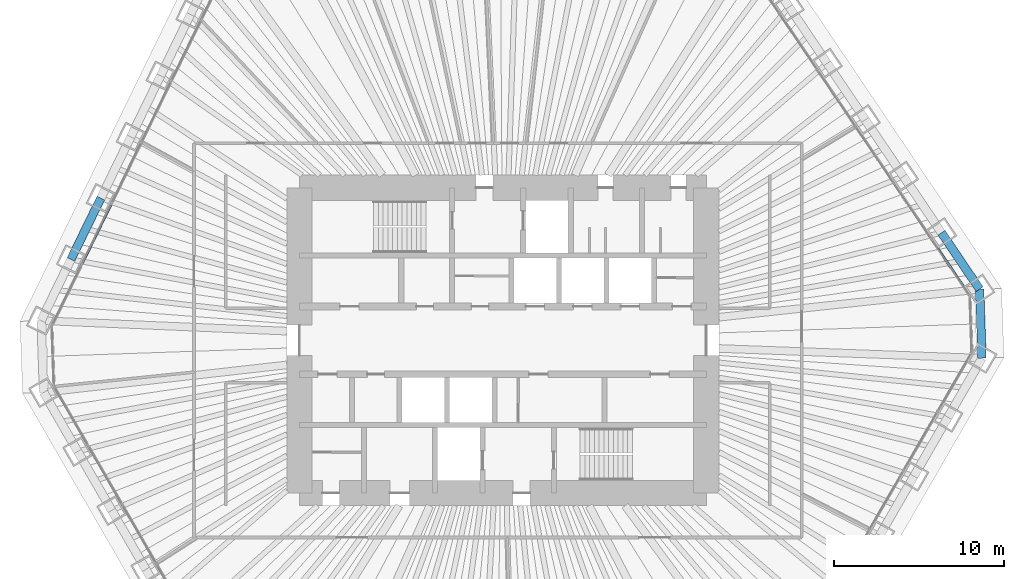
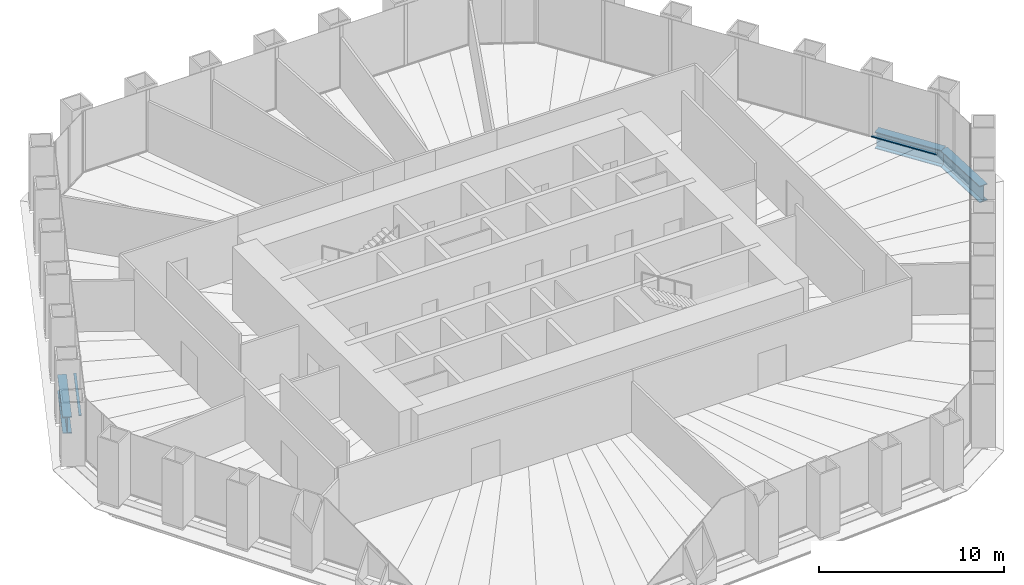
# One storey, part 5 of 13: 3 beams, 2 members, 2 elements without a shape of their own.
"""IFC4 building model written with IfcOpenShell, lengths in metres."""

from ifc_helpers import new_model, si_unit, direction, frame, origin, origin_2d, place, context, subcontext, project, spatial, rectangle, i_section, extrude, material, material_profile, profile_set, type_object, element, aggregate, save


model = new_model("IFC4")

# Units and contexts
model_context = context("Model", 3, precision=1e-05, world=origin(), true_north=direction((0.0, 1.0)))
body_context = subcontext(model_context, "Body", "Model", "MODEL_VIEW")
ifc_project = project(units=[si_unit("LENGTHUNIT", "METRE"), si_unit("AREAUNIT", "SQUARE_METRE"), si_unit("VOLUMEUNIT", "CUBIC_METRE"), si_unit("PLANEANGLEUNIT", "RADIAN"), si_unit("MASSUNIT", "GRAM", prefix="KILO")], contexts=[model_context])

# Site, building, storey
site_placement = place(None, origin())
site = spatial("IfcSite", under=ifc_project, at=site_placement, CompositionType="ELEMENT")
building_placement = place(site_placement, origin())
building = spatial("IfcBuilding", under=site, at=building_placement, Name="Qingtian Harvest Tower", CompositionType="ELEMENT")
storey_placement = place(building_placement, frame((0.0, 0.0, 140.800048828125)))
storey = spatial("IfcBuildingStorey", under=building, at=storey_placement, Name="L29", CompositionType="ELEMENT", Elevation=140.800048828125)

# Beams
ifc_material_1 = material(Name="Steel SM570MC", Category="steel")
ifc_material_profile_1 = material_profile(ifc_material_1, i_section(OverallWidth=0.5, OverallDepth=1.10009765625, WebThickness=0.02490234375, FlangeThickness=0.050048828125, at=origin_2d()), Name="H1100x500x25x50")
ifc_profile_set_1 = profile_set([ifc_material_profile_1], Name="Steel SM570MC")
beam_type = type_object("IfcBeamType", Name="Spandrel beam SB2 H1100x500x25x50", PredefinedType="SPANDREL", material=ifc_profile_set_1)
beam_1_placement = place(storey_placement, frame((25.8720703125, 6.3505859375, -0.550048828125), z_axis=(0.55916400171, -0.829057066306, 0.0), x_axis=(0.829057066306, 0.55916400171, 0.0)))
element("IfcBeam", 1, at=beam_1_placement, inside=storey, type_object=beam_type, Name="Spandrel SB2 NE5", PredefinedType="SPANDREL", context=body_context, shape_type="SweptSolid", body=[
    extrude(i_section(OverallWidth=0.5, OverallDepth=1.10009765625, WebThickness=0.02490234375, FlangeThickness=0.050048828125, at=origin_2d()), origin(), (0.0, 0.0, 1.0), 4.01904296875),
])
beam_2_placement = place(storey_placement, frame((28.119384765625, 3.0185546875, -0.550048828125), z_axis=(0.03490639867, -0.999390585973, 0.0), x_axis=(0.999390585973, 0.03490639867, 0.0)))
element("IfcBeam", 2, at=beam_2_placement, inside=storey, type_object=beam_type, Name="Spandrel SB2 NEC", PredefinedType="SPANDREL", context=body_context, shape_type="SweptSolid", body=[
    extrude(i_section(OverallWidth=0.5, OverallDepth=1.10009765625, WebThickness=0.02490234375, FlangeThickness=0.050048828125, at=origin_2d()), origin(), (0.0, 0.0, 1.0), 4.070556640625),
])
beam_3_placement = place(storey_placement, frame((-25.483154296875, 4.78125, -0.550048828125), z_axis=(0.438396105405, 0.89878187274, 0.0), x_axis=(-0.89878187274, 0.438396105405, 0.0)))
element("IfcBeam", 3, at=beam_3_placement, inside=storey, type_object=beam_type, Name="Spandrel SB2 NW1", PredefinedType="SPANDREL", context=body_context, shape_type="SweptSolid", body=[
    extrude(i_section(OverallWidth=0.5, OverallDepth=1.10009765625, WebThickness=0.02490234375, FlangeThickness=0.050048828125, at=origin_2d()), origin(), (0.0, 0.0, 1.0), 4.01904296875),
])

# Curtain wall, member
ifc_material_2 = material(Name="Bronze-anodised aluminium curtain wall", Category="aluminium")
curtain_wall_type = type_object("IfcCurtainWallType", Name="Curtain wall CW4 office", PredefinedType="USERDEFINED", material=ifc_material_2)
curtain_wall_1_placement = place(storey_placement, origin())
curtain_wall_1 = element("IfcCurtainWall", 4, at=curtain_wall_1_placement, inside=storey, type_object=curtain_wall_type, Name="Curtain wall CW4 L29 NE0-5", ObjectType="RECESSED CURTAIN WALL", PredefinedType="USERDEFINED")
ifc_material_3 = material(Name="Bronze-anodised aluminium transom", Category="aluminium")
ifc_material_profile_2 = material_profile(ifc_material_3, rectangle(XDim=0.14990234375, YDim=0.06494140625, at=origin_2d()), Name="AL 65x150")
ifc_profile_set_2 = profile_set([ifc_material_profile_2], Name="Bronze-anodised aluminium transom")
member_type = type_object("IfcMemberType", Name="Transom CWT 65x150", PredefinedType="USERDEFINED", material=ifc_profile_set_2)
member_1_placement = place(storey_placement, frame((25.309814453125, 5.93212890625, 0.032470703125), z_axis=(0.559174507936, -0.829049980203, 0.0), x_axis=(0.829049980203, 0.559174507936, 0.0)))
member_1 = element("IfcMember", 5, at=member_1_placement, type_object=member_type, Name="CW4 transom 6.1", ObjectType="TRANSOM", PredefinedType="USERDEFINED", context=body_context, shape_type="SweptSolid", body=[
    extrude(rectangle(XDim=0.14990234375, YDim=0.06494140625, at=origin_2d()), origin(), (0.0, 0.0, 1.0), 3.921630859375),
])
aggregate(curtain_wall_1, [member_1])

curtain_wall_2_placement = place(storey_placement, origin())
curtain_wall_2 = element("IfcCurtainWall", 6, at=curtain_wall_2_placement, inside=storey, type_object=curtain_wall_type, Name="Curtain wall CW4 L29 NW0-5", ObjectType="RECESSED CURTAIN WALL", PredefinedType="USERDEFINED")
member_2_placement = place(storey_placement, frame((-24.839599609375, 4.503662109375, 0.032470703125), z_axis=(0.438374972828, 0.898792180205, 0.0), x_axis=(-0.898792180205, 0.438374972828, 0.0)))
member_2 = element("IfcMember", 7, at=member_2_placement, type_object=member_type, Name="CW4 transom 2.1", ObjectType="TRANSOM", PredefinedType="USERDEFINED", context=body_context, shape_type="SweptSolid", body=[
    extrude(rectangle(XDim=0.14990234375, YDim=0.06494140625, at=origin_2d()), origin(), (0.0, 0.0, 1.0), 3.9541015625),
])
aggregate(curtain_wall_2, [member_2])

save(model, "model.ifc")
